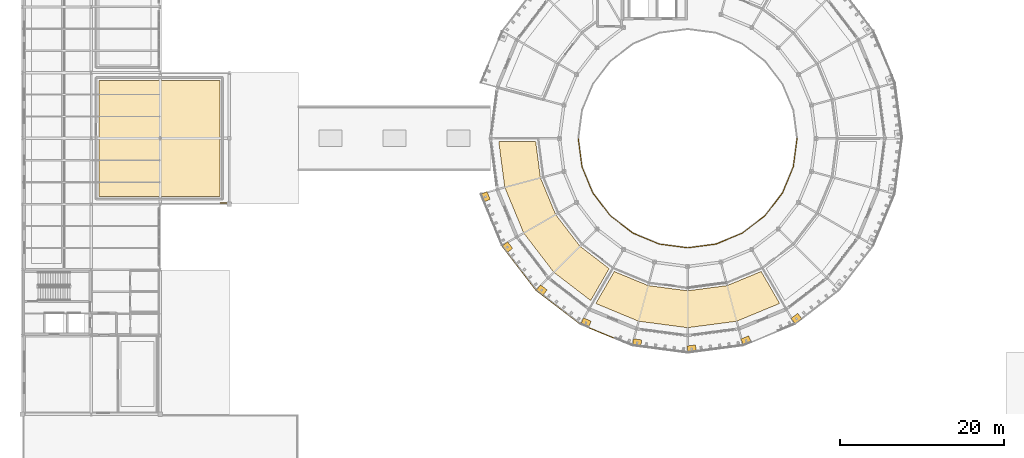
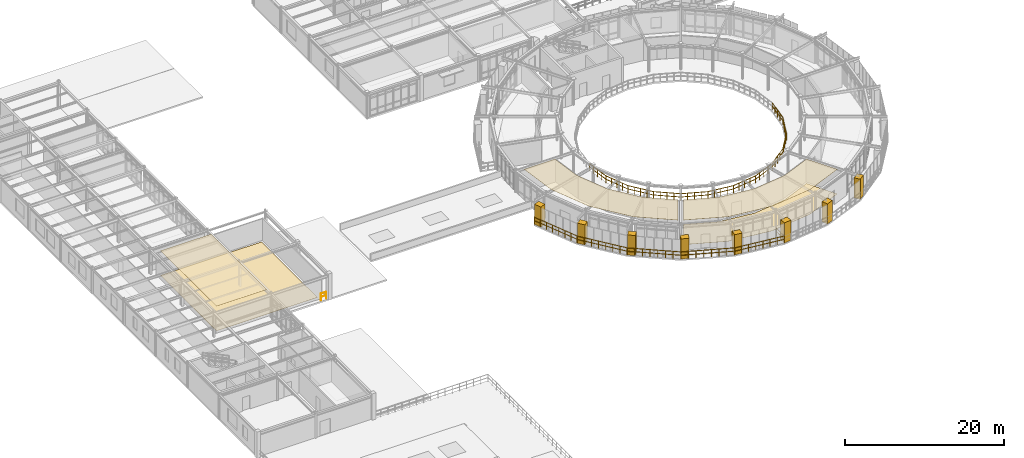
# One storey, part 63 of 70: 8 shading devices, 5 coverings, 3 railings.
"""IFC4 building model written with IfcOpenShell, lengths in metres."""

from ifc_helpers import new_model, si_unit, derived_unit, direction, frame, origin, origin_2d, place, context, subcontext, project, spatial, polyline, rectangle, circle, outline, extrude, material, layer, layer_set, type_object, element, save


model = new_model("IFC4")

# Units and contexts
model_context = context("Model", 3, precision=1e-05, world=origin(), true_north=direction((0.0, 1.0)))
body_context = subcontext(model_context, "Body", "Model", "MODEL_VIEW")
ifc_project = project(units=[si_unit("LENGTHUNIT", "METRE"), si_unit("AREAUNIT", "SQUARE_METRE"), si_unit("VOLUMEUNIT", "CUBIC_METRE"), si_unit("PLANEANGLEUNIT", "RADIAN"), si_unit("MASSUNIT", "GRAM", prefix="KILO"), derived_unit("THERMALTRANSMITTANCEUNIT", [(si_unit("POWERUNIT", "WATT"), 1), (si_unit("AREAUNIT", "SQUARE_METRE"), -1), (si_unit("THERMODYNAMICTEMPERATUREUNIT", "KELVIN"), -1)])], contexts=[model_context])

# Site, building, storey
site_placement = place(None, origin())
site = spatial("IfcSite", under=ifc_project, at=site_placement, CompositionType="ELEMENT")
building_placement = place(site_placement, origin())
building = spatial("IfcBuilding", under=site, at=building_placement, Name="Yasenodar Specialist Clinic", CompositionType="ELEMENT")
storey_placement = place(building_placement, frame((0.0, 0.0, 13.199951171875)))
storey = spatial("IfcBuildingStorey", under=building, at=storey_placement, Name="L03", CompositionType="ELEMENT", Elevation=13.199951171875)

# Coverings
ifc_material_1 = material(Name="Hygienic Acoustic Mineral-Fibre Ceiling")
ifc_layer_1 = layer(ifc_material_1, 0.02490234375)
ifc_layer_set_1 = layer_set([ifc_layer_1], Name="Hygienic Acoustic Mineral-Fibre Ceiling")
covering_type_1 = type_object("IfcCoveringType", Name="COV-CEIL-AC", PredefinedType="CEILING", material=ifc_layer_set_1)
covering_1_placement = place(storey_placement, frame((0.0, 0.0, 3.775146484375)))
element("IfcCovering", 1, at=covering_1_placement, inside=storey, type_object=covering_type_1, Name="L03 Cardiac Arrhythmia Day-Monitoring Suite Acoustic Ceiling", PredefinedType="CEILING", context=body_context, shape_type="SweptSolid", body=[
    extrude(outline(polyline([(63.077880859375, 54.013916015625), (63.0859375, 53.98388671875), (63.096923828125, 53.9560546875), (64.9150390625, 49.56591796875), (64.927978515625, 49.5380859375), (64.943115234375, 49.511962890625), (64.9609375, 49.487060546875), (67.85302734375, 45.718017578125), (67.873046875, 45.694091796875), (67.89404296875, 45.673095703125), (67.91796875, 45.653076171875), (71.443115234375, 42.947021484375), (69.196044921875, 39.055908203125), (64.702880859375, 42.5029296875), (61.041015625, 47.277099609375), (58.738037109375, 52.8349609375), (57.9990234375, 58.449951171875), (62.492919921875, 58.449951171875), (63.072998046875, 54.0439453125), (63.077880859375, 54.013916015625)])), origin(), (0.0, 0.0, 1.0), 0.02490234375),
])
covering_2_placement = place(storey_placement, frame((0.0, 0.0, 3.775146484375)))
element("IfcCovering", 2, at=covering_2_placement, inside=storey, type_object=covering_type_1, Name="L03 Echocardiography Stress-Test Room Acoustic Ceiling", PredefinedType="CEILING", context=body_context, shape_type="SweptSolid", body=[
    extrude(outline(polyline([(76.214111328125, 40.8779296875), (76.243896484375, 40.873046875), (80.9541015625, 40.2529296875), (80.985107421875, 40.25), (81.014892578125, 40.25), (81.0458984375, 40.2529296875), (85.756103515625, 40.873046875), (85.785888671875, 40.8779296875), (85.81591796875, 40.885986328125), (85.843994140625, 40.89697265625), (89.949951171875, 42.596923828125), (92.197021484375, 38.7060546875), (86.965087890625, 36.5380859375), (81.0, 35.7529296875), (75.034912109375, 36.5380859375), (69.821044921875, 38.697998046875), (72.068115234375, 42.590087890625), (76.156005859375, 40.89697265625), (76.18408203125, 40.885986328125), (76.214111328125, 40.8779296875)])), origin(), (0.0, 0.0, 1.0), 0.02490234375),
])
covering_3_placement = place(storey_placement, frame((0.0, 0.0, 3.775146484375)))
element("IfcCovering", 3, at=covering_3_placement, inside=storey, type_object=covering_type_1, Name="L03 Orthopedic and Spine Clinic Acoustic Ceiling", PredefinedType="CEILING", context=body_context, shape_type="SweptSolid", body=[
    extrude(outline(polyline([(9.35009765625, 51.75), (9.35009765625, 65.85009765625), (16.699951171875, 65.85009765625), (16.699951171875, 51.75), (9.35009765625, 51.75)])), origin(), (0.0, 0.0, 1.0), 0.02490234375),
])
ifc_material_2 = material(Name="Seamless Epoxy Terrazzo Clinical Flooring")
ifc_layer_2 = layer(ifc_material_2, 0.02001953125)
ifc_layer_set_2 = layer_set([ifc_layer_2], Name="Seamless Epoxy Terrazzo Clinical Flooring")
covering_type_2 = type_object("IfcCoveringType", Name="COV-FLR-TERR", PredefinedType="FLOORING", material=ifc_layer_set_2)
covering_4_placement = place(storey_placement, origin())
element("IfcCovering", 4, at=covering_4_placement, inside=storey, type_object=covering_type_2, Name="L03 Echocardiography Stress-Test Room Terrazzo Flooring", PredefinedType="FLOORING", context=body_context, shape_type="SweptSolid", body=[
    extrude(outline(polyline([(76.214111328125, 40.8779296875), (76.243896484375, 40.873046875), (80.9541015625, 40.2529296875), (80.985107421875, 40.25), (81.014892578125, 40.25), (81.0458984375, 40.2529296875), (85.756103515625, 40.873046875), (85.785888671875, 40.8779296875), (85.81591796875, 40.885986328125), (85.843994140625, 40.89697265625), (89.949951171875, 42.596923828125), (92.197021484375, 38.7060546875), (86.965087890625, 36.5380859375), (81.0, 35.7529296875), (75.034912109375, 36.5380859375), (69.821044921875, 38.697998046875), (72.068115234375, 42.590087890625), (76.156005859375, 40.89697265625), (76.18408203125, 40.885986328125), (76.214111328125, 40.8779296875)])), origin(), (0.0, 0.0, 1.0), 0.02001953125),
])
covering_5_placement = place(storey_placement, origin())
element("IfcCovering", 5, at=covering_5_placement, inside=storey, type_object=covering_type_2, Name="L03 Orthopedic and Spine Clinic Terrazzo Flooring", PredefinedType="FLOORING", context=body_context, shape_type="SweptSolid", body=[
    extrude(outline(polyline([(24.050048828125, 51.75), (9.35009765625, 51.75), (9.35009765625, 65.85009765625), (24.050048828125, 65.85009765625), (24.050048828125, 51.75)])), origin(), (0.0, 0.0, 1.0), 0.02001953125),
])

# Railings
ifc_material_3 = material(Name="Bronze Anodized Aluminium and Larch Balustrade", Category="aluminium")
railing_type_1 = type_object("IfcRailingType", Name="RL-BAL-1120", PredefinedType="BALUSTRADE", material=ifc_material_3)
railing_1_placement = place(storey_placement, frame((57.605224609375, 52.531494140625, 0.0)))
element("IfcRailing", 6, at=railing_1_placement, inside=storey, type_object=railing_type_1, Name="L03 Drum V1 Balcony Balustrade 3", PredefinedType="BALUSTRADE", context=body_context, shape_type="SweptSolid", body=[
    extrude(circle(Radius=0.02392578125, at=origin_2d()), frame((0.0, 0.0, 1.09619140625), z_axis=(-0.965899289485, -0.258918061502, 0.0), x_axis=(0.258918061502, -0.965899289485, 0.0)), (0.0, 0.0, 1.0), 1.89990234375),
    extrude(circle(Radius=0.02392578125, at=origin_2d()), frame((0.0, 0.0, 0.58251953125), z_axis=(-0.965899289485, -0.258918061502, 0.0), x_axis=(0.258918061502, -0.965899289485, 0.0)), (0.0, 0.0, 1.0), 1.89990234375),
    extrude(circle(Radius=0.02392578125, at=origin_2d()), frame((-1.835205078125, -0.491943359375, 1.09619140625), z_axis=(0.382684882513, -0.923878931839, 0.0), x_axis=(0.923878931839, 0.382684882513, 0.0)), (0.0, 0.0, 1.0), 6.818603515625),
    extrude(circle(Radius=0.02392578125, at=origin_2d()), frame((-1.835205078125, -0.491943359375, 0.58251953125), z_axis=(0.382684882513, -0.923878931839, 0.0), x_axis=(0.923878931839, 0.382684882513, 0.0)), (0.0, 0.0, 1.0), 6.818603515625),
    extrude(circle(Radius=0.02392578125, at=origin_2d()), frame((0.774169921875, -6.79150390625, 1.09619140625), z_axis=(0.608774242529, -0.793343507967, 0.0), x_axis=(0.793343507967, 0.608774242529, 0.0)), (0.0, 0.0, 1.0), 6.81884765625),
    extrude(circle(Radius=0.02392578125, at=origin_2d()), frame((0.774169921875, -6.79150390625, 0.58251953125), z_axis=(0.608774242529, -0.793343507967, 0.0), x_axis=(0.793343507967, 0.608774242529, 0.0)), (0.0, 0.0, 1.0), 6.81884765625),
    extrude(circle(Radius=0.02392578125, at=origin_2d()), frame((4.92529296875, -12.201171875, 1.09619140625), z_axis=(0.793347531118, -0.608768999597, 0.0), x_axis=(0.608768999597, 0.793347531118, 0.0)), (0.0, 0.0, 1.0), 6.818359375),
    extrude(circle(Radius=0.02392578125, at=origin_2d()), frame((4.92529296875, -12.201171875, 0.58251953125), z_axis=(0.793347531118, -0.608768999597, 0.0), x_axis=(0.608768999597, 0.793347531118, 0.0)), (0.0, 0.0, 1.0), 6.818359375),
    extrude(circle(Radius=0.02392578125, at=origin_2d()), frame((10.334716796875, -16.35205078125, 1.09619140625), z_axis=(0.923878931839, -0.382684882513, 0.0), x_axis=(0.382684882513, 0.923878931839, 0.0)), (0.0, 0.0, 1.0), 6.818603515625),
    extrude(circle(Radius=0.02392578125, at=origin_2d()), frame((10.334716796875, -16.35205078125, 0.58251953125), z_axis=(0.923878931839, -0.382684882513, 0.0), x_axis=(0.382684882513, 0.923878931839, 0.0)), (0.0, 0.0, 1.0), 6.818603515625),
    extrude(circle(Radius=0.02392578125, at=origin_2d()), frame((16.63427734375, -18.96142578125, 1.09619140625), z_axis=(0.9914429584, -0.130540645926, 0.0), x_axis=(0.130540645926, 0.9914429584, 0.0)), (0.0, 0.0, 1.0), 6.81884765625),
    extrude(circle(Radius=0.02392578125, at=origin_2d()), frame((16.63427734375, -18.96142578125, 0.58251953125), z_axis=(0.9914429584, -0.130540645926, 0.0), x_axis=(0.130540645926, 0.9914429584, 0.0)), (0.0, 0.0, 1.0), 6.81884765625),
    extrude(circle(Radius=0.02392578125, at=origin_2d()), frame((23.394775390625, -19.8515625, 1.09619140625), z_axis=(0.0, 1.0, 0.0), x_axis=(-1.0, 0.0, 0.0)), (0.0, 0.0, 1.0), 1.900146484375),
    extrude(circle(Radius=0.02392578125, at=origin_2d()), frame((23.394775390625, -19.8515625, 0.58251953125), z_axis=(0.0, 1.0, 0.0), x_axis=(-1.0, 0.0, 0.0)), (0.0, 0.0, 1.0), 1.900146484375),
    extrude(circle(Radius=0.02099609375, at=origin_2d()), origin(), (0.0, 0.0, 1.0), 1.072021484375),
    extrude(circle(Radius=0.02099609375, at=origin_2d()), frame((-0.91748046875, -0.24609375, 0.0)), (0.0, 0.0, 1.0), 1.072021484375),
    extrude(circle(Radius=0.02099609375, at=origin_2d()), frame((-1.835205078125, -0.491943359375, 0.0)), (0.0, 0.0, 1.0), 1.072021484375),
    extrude(circle(Radius=0.02099609375, at=origin_2d()), frame((-1.46240234375, -1.391845703125, 0.0)), (0.0, 0.0, 1.0), 1.072021484375),
    extrude(circle(Radius=0.02099609375, at=origin_2d()), frame((-1.089599609375, -2.291748046875, 0.0)), (0.0, 0.0, 1.0), 1.072021484375),
    extrude(circle(Radius=0.02099609375, at=origin_2d()), frame((-0.716796875, -3.191650390625, 0.0)), (0.0, 0.0, 1.0), 1.072021484375),
    extrude(circle(Radius=0.02099609375, at=origin_2d()), frame((-0.34423828125, -4.091796875, 0.0)), (0.0, 0.0, 1.0), 1.072021484375),
    extrude(circle(Radius=0.02099609375, at=origin_2d()), frame((0.028564453125, -4.99169921875, 0.0)), (0.0, 0.0, 1.0), 1.072021484375),
    extrude(circle(Radius=0.02099609375, at=origin_2d()), frame((0.4013671875, -5.8916015625, 0.0)), (0.0, 0.0, 1.0), 1.072021484375),
    extrude(circle(Radius=0.02099609375, at=origin_2d()), frame((0.774169921875, -6.79150390625, 0.0)), (0.0, 0.0, 1.0), 1.072021484375),
    extrude(circle(Radius=0.02099609375, at=origin_2d()), frame((1.3671875, -7.564208984375, 0.0)), (0.0, 0.0, 1.0), 1.072021484375),
    extrude(circle(Radius=0.02099609375, at=origin_2d()), frame((1.960205078125, -8.337158203125, 0.0)), (0.0, 0.0, 1.0), 1.072021484375),
    extrude(circle(Radius=0.02099609375, at=origin_2d()), frame((2.55322265625, -9.10986328125, 0.0)), (0.0, 0.0, 1.0), 1.072021484375),
    extrude(circle(Radius=0.02099609375, at=origin_2d()), frame((3.146240234375, -9.8828125, 0.0)), (0.0, 0.0, 1.0), 1.072021484375),
    extrude(circle(Radius=0.02099609375, at=origin_2d()), frame((3.7392578125, -10.655517578125, 0.0)), (0.0, 0.0, 1.0), 1.072021484375),
    extrude(circle(Radius=0.02099609375, at=origin_2d()), frame((4.332275390625, -11.428466796875, 0.0)), (0.0, 0.0, 1.0), 1.072021484375),
    extrude(circle(Radius=0.02099609375, at=origin_2d()), frame((4.92529296875, -12.201171875, 0.0)), (0.0, 0.0, 1.0), 1.072021484375),
    extrude(circle(Radius=0.02099609375, at=origin_2d()), frame((5.697998046875, -12.794189453125, 0.0)), (0.0, 0.0, 1.0), 1.072021484375),
    extrude(circle(Radius=0.02099609375, at=origin_2d()), frame((6.470947265625, -13.38720703125, 0.0)), (0.0, 0.0, 1.0), 1.072021484375),
    extrude(circle(Radius=0.02099609375, at=origin_2d()), frame((7.24365234375, -13.980224609375, 0.0)), (0.0, 0.0, 1.0), 1.072021484375),
    extrude(circle(Radius=0.02099609375, at=origin_2d()), frame((8.016357421875, -14.572998046875, 0.0)), (0.0, 0.0, 1.0), 1.072021484375),
    extrude(circle(Radius=0.02099609375, at=origin_2d()), frame((8.7890625, -15.166015625, 0.0)), (0.0, 0.0, 1.0), 1.072021484375),
    extrude(circle(Radius=0.02099609375, at=origin_2d()), frame((9.56201171875, -15.759033203125, 0.0)), (0.0, 0.0, 1.0), 1.072021484375),
    extrude(circle(Radius=0.02099609375, at=origin_2d()), frame((10.334716796875, -16.35205078125, 0.0)), (0.0, 0.0, 1.0), 1.072021484375),
    extrude(circle(Radius=0.02099609375, at=origin_2d()), frame((11.234619140625, -16.724853515625, 0.0)), (0.0, 0.0, 1.0), 1.072021484375),
    extrude(circle(Radius=0.02099609375, at=origin_2d()), frame((12.134521484375, -17.09765625, 0.0)), (0.0, 0.0, 1.0), 1.072021484375),
    extrude(circle(Radius=0.02099609375, at=origin_2d()), frame((13.034423828125, -17.470458984375, 0.0)), (0.0, 0.0, 1.0), 1.072021484375),
    extrude(circle(Radius=0.02099609375, at=origin_2d()), frame((13.9345703125, -17.843017578125, 0.0)), (0.0, 0.0, 1.0), 1.072021484375),
    extrude(circle(Radius=0.02099609375, at=origin_2d()), frame((14.83447265625, -18.2158203125, 0.0)), (0.0, 0.0, 1.0), 1.072021484375),
    extrude(circle(Radius=0.02099609375, at=origin_2d()), frame((15.734375, -18.588623046875, 0.0)), (0.0, 0.0, 1.0), 1.072021484375),
    extrude(circle(Radius=0.02099609375, at=origin_2d()), frame((16.63427734375, -18.96142578125, 0.0)), (0.0, 0.0, 1.0), 1.072021484375),
    extrude(circle(Radius=0.02099609375, at=origin_2d()), frame((17.60009765625, -19.088623046875, 0.0)), (0.0, 0.0, 1.0), 1.072021484375),
    extrude(circle(Radius=0.02099609375, at=origin_2d()), frame((18.56591796875, -19.2158203125, 0.0)), (0.0, 0.0, 1.0), 1.072021484375),
    extrude(circle(Radius=0.02099609375, at=origin_2d()), frame((19.53173828125, -19.343017578125, 0.0)), (0.0, 0.0, 1.0), 1.072021484375),
    extrude(circle(Radius=0.02099609375, at=origin_2d()), frame((20.497314453125, -19.469970703125, 0.0)), (0.0, 0.0, 1.0), 1.072021484375),
    extrude(circle(Radius=0.02099609375, at=origin_2d()), frame((21.463134765625, -19.59716796875, 0.0)), (0.0, 0.0, 1.0), 1.072021484375),
    extrude(circle(Radius=0.02099609375, at=origin_2d()), frame((22.428955078125, -19.724365234375, 0.0)), (0.0, 0.0, 1.0), 1.072021484375),
    extrude(circle(Radius=0.02099609375, at=origin_2d()), frame((23.394775390625, -19.8515625, 0.0)), (0.0, 0.0, 1.0), 1.072021484375),
    extrude(circle(Radius=0.02099609375, at=origin_2d()), frame((23.394775390625, -18.9013671875, 0.0)), (0.0, 0.0, 1.0), 1.072021484375),
    extrude(circle(Radius=0.02099609375, at=origin_2d()), frame((23.394775390625, -17.951416015625, 0.0)), (0.0, 0.0, 1.0), 1.072021484375),
])
ifc_material_4 = material(Name="Steel S355 Painted Guardrail", Category="steel")
railing_type_2 = type_object("IfcRailingType", Name="RL-GRD-1120", PredefinedType="GUARDRAIL", material=ifc_material_4)
railing_2_placement = place(storey_placement, frame((24.10009765625, 50.919921875, 0.0)))
element("IfcRailing", 7, at=railing_2_placement, inside=storey, type_object=railing_type_2, Name="L03 V4 Orthopedic Bay Edge Guardrail", PredefinedType="GUARDRAIL", context=body_context, shape_type="SweptSolid", body=[
    extrude(circle(Radius=0.02392578125, at=origin_2d()), frame((0.0, 0.0, 1.09619140625), z_axis=(1.0, 0.0, 0.0), x_axis=(0.0, 1.0, 0.0)), (0.0, 0.0, 1.0), 0.75),
    extrude(circle(Radius=0.02392578125, at=origin_2d()), frame((0.0, 0.0, 0.58251953125), z_axis=(1.0, 0.0, 0.0), x_axis=(0.0, 1.0, 0.0)), (0.0, 0.0, 1.0), 0.75),
    extrude(circle(Radius=0.02099609375, at=origin_2d()), origin(), (0.0, 0.0, 1.0), 1.072021484375),
    extrude(circle(Radius=0.02099609375, at=origin_2d()), frame((0.75, 0.0, 0.0)), (0.0, 0.0, 1.0), 1.072021484375),
])
ifc_material_5 = material(Name="Steel S355 Painted Stair Guardrail", Category="steel")
railing_type_3 = type_object("IfcRailingType", Name="RL-ST-GRD", PredefinedType="GUARDRAIL", material=ifc_material_5)
railing_3_placement = place(storey_placement, frame((67.679931640625, 58.800048828125, 0.0)))
element("IfcRailing", 8, at=railing_3_placement, inside=storey, type_object=railing_type_3, Name="L03 Drum V1 Central Atrium South Guardrail", PredefinedType="GUARDRAIL", context=body_context, shape_type="SweptSolid", body=[
    extrude(circle(Radius=0.02392578125, at=origin_2d()), frame((0.0, 0.0, 1.09619140625), z_axis=(0.130521711904, -0.991445451208, 0.0), x_axis=(0.991445451208, 0.130521711904, 0.0)), (0.0, 0.0, 1.0), 3.477294921875),
    extrude(circle(Radius=0.02392578125, at=origin_2d()), frame((0.0, 0.0, 0.58251953125), z_axis=(0.130521711904, -0.991445451208, 0.0), x_axis=(0.991445451208, 0.130521711904, 0.0)), (0.0, 0.0, 1.0), 3.477294921875),
    extrude(circle(Radius=0.02392578125, at=origin_2d()), frame((0.453857421875, -3.447509765625, 1.09619140625), z_axis=(0.382705229488, -0.923870503546, 0.0), x_axis=(0.923870503546, 0.382705229488, 0.0)), (0.0, 0.0, 1.0), 3.477294921875),
    extrude(circle(Radius=0.02392578125, at=origin_2d()), frame((0.453857421875, -3.447509765625, 0.58251953125), z_axis=(0.382705229488, -0.923870503546, 0.0), x_axis=(0.923870503546, 0.382705229488, 0.0)), (0.0, 0.0, 1.0), 3.477294921875),
    extrude(circle(Radius=0.02392578125, at=origin_2d()), frame((1.78466796875, -6.66015625, 1.09619140625), z_axis=(0.608760207619, -0.793354277495, 0.0), x_axis=(0.793354277495, 0.608760207619, 0.0)), (0.0, 0.0, 1.0), 3.47705078125),
    extrude(circle(Radius=0.02392578125, at=origin_2d()), frame((1.78466796875, -6.66015625, 0.58251953125), z_axis=(0.608760207619, -0.793354277495, 0.0), x_axis=(0.793354277495, 0.608760207619, 0.0)), (0.0, 0.0, 1.0), 3.47705078125),
    extrude(circle(Radius=0.02392578125, at=origin_2d()), frame((3.9013671875, -9.418701171875, 1.09619140625), z_axis=(0.793346387948, -0.608770489372, 0.0), x_axis=(0.608770489372, 0.793346387948, 0.0)), (0.0, 0.0, 1.0), 3.477294921875),
    extrude(circle(Radius=0.02392578125, at=origin_2d()), frame((3.9013671875, -9.418701171875, 0.58251953125), z_axis=(0.793346387948, -0.608770489372, 0.0), x_axis=(0.608770489372, 0.793346387948, 0.0)), (0.0, 0.0, 1.0), 3.477294921875),
    extrude(circle(Radius=0.02392578125, at=origin_2d()), frame((6.66015625, -11.53564453125, 1.09619140625), z_axis=(0.92388504482, -0.382670124203, 0.0), x_axis=(0.382670124203, 0.92388504482, 0.0)), (0.0, 0.0, 1.0), 3.47705078125),
    extrude(circle(Radius=0.02392578125, at=origin_2d()), frame((6.66015625, -11.53564453125, 0.58251953125), z_axis=(0.92388504482, -0.382670124203, 0.0), x_axis=(0.382670124203, 0.92388504482, 0.0)), (0.0, 0.0, 1.0), 3.47705078125),
    extrude(circle(Radius=0.02392578125, at=origin_2d()), frame((9.87255859375, -12.8662109375, 1.09619140625), z_axis=(0.991445451208, -0.130521711904, 0.0), x_axis=(0.130521711904, 0.991445451208, 0.0)), (0.0, 0.0, 1.0), 3.477294921875),
    extrude(circle(Radius=0.02392578125, at=origin_2d()), frame((9.87255859375, -12.8662109375, 0.58251953125), z_axis=(0.991445451208, -0.130521711904, 0.0), x_axis=(0.130521711904, 0.991445451208, 0.0)), (0.0, 0.0, 1.0), 3.477294921875),
    extrude(circle(Radius=0.02392578125, at=origin_2d()), frame((13.320068359375, -13.320068359375, 1.09619140625), z_axis=(0.991445451208, 0.130521711904, 0.0), x_axis=(-0.130521711904, 0.991445451208, 0.0)), (0.0, 0.0, 1.0), 3.477294921875),
    extrude(circle(Radius=0.02392578125, at=origin_2d()), frame((13.320068359375, -13.320068359375, 0.58251953125), z_axis=(0.991445451208, 0.130521711904, 0.0), x_axis=(-0.130521711904, 0.991445451208, 0.0)), (0.0, 0.0, 1.0), 3.477294921875),
    extrude(circle(Radius=0.02392578125, at=origin_2d()), frame((16.767578125, -12.8662109375, 1.09619140625), z_axis=(0.92388504482, 0.382670124203, 0.0), x_axis=(-0.382670124203, 0.92388504482, 0.0)), (0.0, 0.0, 1.0), 3.47705078125),
    extrude(circle(Radius=0.02392578125, at=origin_2d()), frame((16.767578125, -12.8662109375, 0.58251953125), z_axis=(0.92388504482, 0.382670124203, 0.0), x_axis=(-0.382670124203, 0.92388504482, 0.0)), (0.0, 0.0, 1.0), 3.47705078125),
    extrude(circle(Radius=0.02392578125, at=origin_2d()), frame((19.97998046875, -11.53564453125, 1.09619140625), z_axis=(0.793346387948, 0.608770489372, 0.0), x_axis=(-0.608770489372, 0.793346387948, 0.0)), (0.0, 0.0, 1.0), 3.477294921875),
    extrude(circle(Radius=0.02392578125, at=origin_2d()), frame((19.97998046875, -11.53564453125, 0.58251953125), z_axis=(0.793346387948, 0.608770489372, 0.0), x_axis=(-0.608770489372, 0.793346387948, 0.0)), (0.0, 0.0, 1.0), 3.477294921875),
    extrude(circle(Radius=0.02392578125, at=origin_2d()), frame((22.73876953125, -9.418701171875, 1.09619140625), z_axis=(0.608760207619, 0.793354277495, 0.0), x_axis=(-0.793354277495, 0.608760207619, 0.0)), (0.0, 0.0, 1.0), 3.47705078125),
    extrude(circle(Radius=0.02392578125, at=origin_2d()), frame((22.73876953125, -9.418701171875, 0.58251953125), z_axis=(0.608760207619, 0.793354277495, 0.0), x_axis=(-0.793354277495, 0.608760207619, 0.0)), (0.0, 0.0, 1.0), 3.47705078125),
    extrude(circle(Radius=0.02392578125, at=origin_2d()), frame((24.85546875, -6.66015625, 1.09619140625), z_axis=(0.382705229488, 0.923870503546, 0.0), x_axis=(-0.923870503546, 0.382705229488, 0.0)), (0.0, 0.0, 1.0), 3.477294921875),
    extrude(circle(Radius=0.02392578125, at=origin_2d()), frame((24.85546875, -6.66015625, 0.58251953125), z_axis=(0.382705229488, 0.923870503546, 0.0), x_axis=(-0.923870503546, 0.382705229488, 0.0)), (0.0, 0.0, 1.0), 3.477294921875),
    extrude(circle(Radius=0.02392578125, at=origin_2d()), frame((26.186279296875, -3.447509765625, 1.09619140625), z_axis=(0.130521711904, 0.991445451208, 0.0), x_axis=(-0.991445451208, 0.130521711904, 0.0)), (0.0, 0.0, 1.0), 3.477294921875),
    extrude(circle(Radius=0.02392578125, at=origin_2d()), frame((26.186279296875, -3.447509765625, 0.58251953125), z_axis=(0.130521711904, 0.991445451208, 0.0), x_axis=(-0.991445451208, 0.130521711904, 0.0)), (0.0, 0.0, 1.0), 3.477294921875),
    extrude(circle(Radius=0.02099609375, at=origin_2d()), origin(), (0.0, 0.0, 1.0), 1.072021484375),
    extrude(circle(Radius=0.02099609375, at=origin_2d()), frame((0.113525390625, -0.86181640625, 0.0)), (0.0, 0.0, 1.0), 1.072021484375),
    extrude(circle(Radius=0.02099609375, at=origin_2d()), frame((0.22705078125, -1.7236328125, 0.0)), (0.0, 0.0, 1.0), 1.072021484375),
    extrude(circle(Radius=0.02099609375, at=origin_2d()), frame((0.34033203125, -2.585693359375, 0.0)), (0.0, 0.0, 1.0), 1.072021484375),
    extrude(circle(Radius=0.02099609375, at=origin_2d()), frame((0.453857421875, -3.447509765625, 0.0)), (0.0, 0.0, 1.0), 1.072021484375),
    extrude(circle(Radius=0.02099609375, at=origin_2d()), frame((0.78662109375, -4.250732421875, 0.0)), (0.0, 0.0, 1.0), 1.072021484375),
    extrude(circle(Radius=0.02099609375, at=origin_2d()), frame((1.119140625, -5.0537109375, 0.0)), (0.0, 0.0, 1.0), 1.072021484375),
    extrude(circle(Radius=0.02099609375, at=origin_2d()), frame((1.451904296875, -5.85693359375, 0.0)), (0.0, 0.0, 1.0), 1.072021484375),
    extrude(circle(Radius=0.02099609375, at=origin_2d()), frame((1.78466796875, -6.66015625, 0.0)), (0.0, 0.0, 1.0), 1.072021484375),
    extrude(circle(Radius=0.02099609375, at=origin_2d()), frame((2.31396484375, -7.349853515625, 0.0)), (0.0, 0.0, 1.0), 1.072021484375),
    extrude(circle(Radius=0.02099609375, at=origin_2d()), frame((2.843017578125, -8.03955078125, 0.0)), (0.0, 0.0, 1.0), 1.072021484375),
    extrude(circle(Radius=0.02099609375, at=origin_2d()), frame((3.3720703125, -8.72900390625, 0.0)), (0.0, 0.0, 1.0), 1.072021484375),
    extrude(circle(Radius=0.02099609375, at=origin_2d()), frame((3.9013671875, -9.418701171875, 0.0)), (0.0, 0.0, 1.0), 1.072021484375),
    extrude(circle(Radius=0.02099609375, at=origin_2d()), frame((4.591064453125, -9.947998046875, 0.0)), (0.0, 0.0, 1.0), 1.072021484375),
    extrude(circle(Radius=0.02099609375, at=origin_2d()), frame((5.28076171875, -10.47705078125, 0.0)), (0.0, 0.0, 1.0), 1.072021484375),
    extrude(circle(Radius=0.02099609375, at=origin_2d()), frame((5.970458984375, -11.00634765625, 0.0)), (0.0, 0.0, 1.0), 1.072021484375),
    extrude(circle(Radius=0.02099609375, at=origin_2d()), frame((6.66015625, -11.53564453125, 0.0)), (0.0, 0.0, 1.0), 1.072021484375),
    extrude(circle(Radius=0.02099609375, at=origin_2d()), frame((7.46337890625, -11.8681640625, 0.0)), (0.0, 0.0, 1.0), 1.072021484375),
    extrude(circle(Radius=0.02099609375, at=origin_2d()), frame((8.266357421875, -12.200927734375, 0.0)), (0.0, 0.0, 1.0), 1.072021484375),
    extrude(circle(Radius=0.02099609375, at=origin_2d()), frame((9.0693359375, -12.53369140625, 0.0)), (0.0, 0.0, 1.0), 1.072021484375),
    extrude(circle(Radius=0.02099609375, at=origin_2d()), frame((9.87255859375, -12.8662109375, 0.0)), (0.0, 0.0, 1.0), 1.072021484375),
    extrude(circle(Radius=0.02099609375, at=origin_2d()), frame((10.734375, -12.979736328125, 0.0)), (0.0, 0.0, 1.0), 1.072021484375),
    extrude(circle(Radius=0.02099609375, at=origin_2d()), frame((11.59619140625, -13.09326171875, 0.0)), (0.0, 0.0, 1.0), 1.072021484375),
    extrude(circle(Radius=0.02099609375, at=origin_2d()), frame((12.458251953125, -13.20654296875, 0.0)), (0.0, 0.0, 1.0), 1.072021484375),
    extrude(circle(Radius=0.02099609375, at=origin_2d()), frame((13.320068359375, -13.320068359375, 0.0)), (0.0, 0.0, 1.0), 1.072021484375),
    extrude(circle(Radius=0.02099609375, at=origin_2d()), frame((14.181884765625, -13.20654296875, 0.0)), (0.0, 0.0, 1.0), 1.072021484375),
    extrude(circle(Radius=0.02099609375, at=origin_2d()), frame((15.0439453125, -13.09326171875, 0.0)), (0.0, 0.0, 1.0), 1.072021484375),
    extrude(circle(Radius=0.02099609375, at=origin_2d()), frame((15.90576171875, -12.979736328125, 0.0)), (0.0, 0.0, 1.0), 1.072021484375),
    extrude(circle(Radius=0.02099609375, at=origin_2d()), frame((16.767578125, -12.8662109375, 0.0)), (0.0, 0.0, 1.0), 1.072021484375),
    extrude(circle(Radius=0.02099609375, at=origin_2d()), frame((17.57080078125, -12.53369140625, 0.0)), (0.0, 0.0, 1.0), 1.072021484375),
    extrude(circle(Radius=0.02099609375, at=origin_2d()), frame((18.373779296875, -12.200927734375, 0.0)), (0.0, 0.0, 1.0), 1.072021484375),
    extrude(circle(Radius=0.02099609375, at=origin_2d()), frame((19.1767578125, -11.8681640625, 0.0)), (0.0, 0.0, 1.0), 1.072021484375),
    extrude(circle(Radius=0.02099609375, at=origin_2d()), frame((19.97998046875, -11.53564453125, 0.0)), (0.0, 0.0, 1.0), 1.072021484375),
    extrude(circle(Radius=0.02099609375, at=origin_2d()), frame((20.669677734375, -11.00634765625, 0.0)), (0.0, 0.0, 1.0), 1.072021484375),
    extrude(circle(Radius=0.02099609375, at=origin_2d()), frame((21.359375, -10.47705078125, 0.0)), (0.0, 0.0, 1.0), 1.072021484375),
    extrude(circle(Radius=0.02099609375, at=origin_2d()), frame((22.049072265625, -9.947998046875, 0.0)), (0.0, 0.0, 1.0), 1.072021484375),
    extrude(circle(Radius=0.02099609375, at=origin_2d()), frame((22.73876953125, -9.418701171875, 0.0)), (0.0, 0.0, 1.0), 1.072021484375),
    extrude(circle(Radius=0.02099609375, at=origin_2d()), frame((23.26806640625, -8.72900390625, 0.0)), (0.0, 0.0, 1.0), 1.072021484375),
    extrude(circle(Radius=0.02099609375, at=origin_2d()), frame((23.797119140625, -8.03955078125, 0.0)), (0.0, 0.0, 1.0), 1.072021484375),
    extrude(circle(Radius=0.02099609375, at=origin_2d()), frame((24.326171875, -7.349853515625, 0.0)), (0.0, 0.0, 1.0), 1.072021484375),
    extrude(circle(Radius=0.02099609375, at=origin_2d()), frame((24.85546875, -6.66015625, 0.0)), (0.0, 0.0, 1.0), 1.072021484375),
    extrude(circle(Radius=0.02099609375, at=origin_2d()), frame((25.188232421875, -5.85693359375, 0.0)), (0.0, 0.0, 1.0), 1.072021484375),
    extrude(circle(Radius=0.02099609375, at=origin_2d()), frame((25.52099609375, -5.0537109375, 0.0)), (0.0, 0.0, 1.0), 1.072021484375),
    extrude(circle(Radius=0.02099609375, at=origin_2d()), frame((25.853515625, -4.250732421875, 0.0)), (0.0, 0.0, 1.0), 1.072021484375),
    extrude(circle(Radius=0.02099609375, at=origin_2d()), frame((26.186279296875, -3.447509765625, 0.0)), (0.0, 0.0, 1.0), 1.072021484375),
    extrude(circle(Radius=0.02099609375, at=origin_2d()), frame((26.2998046875, -2.585693359375, 0.0)), (0.0, 0.0, 1.0), 1.072021484375),
    extrude(circle(Radius=0.02099609375, at=origin_2d()), frame((26.4130859375, -1.7236328125, 0.0)), (0.0, 0.0, 1.0), 1.072021484375),
    extrude(circle(Radius=0.02099609375, at=origin_2d()), frame((26.526611328125, -0.86181640625, 0.0)), (0.0, 0.0, 1.0), 1.072021484375),
    extrude(circle(Radius=0.02099609375, at=origin_2d()), frame((26.64013671875, 0.0, 0.0)), (0.0, 0.0, 1.0), 1.072021484375),
])

# Shading devices
ifc_material_6 = material(Name="Thermally Modified Larch and Bronze Girih Jali Shutter")
shading_device_type = type_object("IfcShadingDeviceType", Name="SHD-JALI-850", PredefinedType="SHUTTER", material=ifc_material_6)
for number, where, z_axis, x_axis, name in (
    (9, (56.372802734375, 51.68359375, -0.0048828125), (0.0, 0.0, 1.0), (0.382686667195, -0.923878192594, 0.0), "L03 Mughal Girih Jali Sliding Shutter Frame 0271"),
    (10, (59.0537109375, 45.55224609375, -0.0048828125), (0.0, 0.0, 1.0), (0.608764217148, -0.793351200869, 0.0), "L03 Mughal Girih Jali Sliding Shutter Frame 0277"),
    (11, (63.23046875, 40.323486328125, -0.0048828125), (0.0, 0.0, 1.0), (0.793351200869, -0.608764217148, 0.0), "L03 Mughal Girih Jali Sliding Shutter Frame 0283"),
    (12, (68.617919921875, 36.35400390625, -0.0048828125), (0.0, 0.0, 1.0), (0.923878192594, -0.382686667195, 0.0), "L03 Mughal Girih Jali Sliding Shutter Frame 0289"),
    (13, (74.849365234375, 33.9140625, -0.0048828125), (0.0, 0.0, 1.0), (0.991445783754, -0.130519185854, 0.0), "L03 Mughal Girih Jali Sliding Shutter Frame 0292"),
    (14, (81.499755859375, 33.170166015625, -0.0048828125), (0.0, 0.0, 1.0), (0.991445783754, 0.130519185854, 0.0), "L03 Mughal Girih Jali Sliding Shutter Frame 0298"),
    (15, (88.1162109375, 34.1728515625, -0.0048828125), (0.0, 0.0, 1.0), (0.923878192594, 0.382686667195, 0.0), "L03 Mughal Girih Jali Sliding Shutter Frame 0304"),
    (16, (94.247802734375, 36.853759765625, -0.0048828125), (0.0, 0.0, 1.0), (0.793351200869, 0.608764217148, 0.0), "L03 Mughal Girih Jali Sliding Shutter Frame 0307"),
):
    element("IfcShadingDevice", number, at=place(storey_placement, frame(where, z_axis=z_axis, x_axis=x_axis)), inside=storey, type_object=shading_device_type, Name=name, PredefinedType="SHUTTER", context=body_context, shape_type="SweptSolid", body=[
        extrude(rectangle(XDim=1.02001953125, YDim=0.85009765625, at=origin_2d()), origin(), (0.0, 0.0, 1.0), 3.10009765625),
    ])

save(model, "model.ifc")
